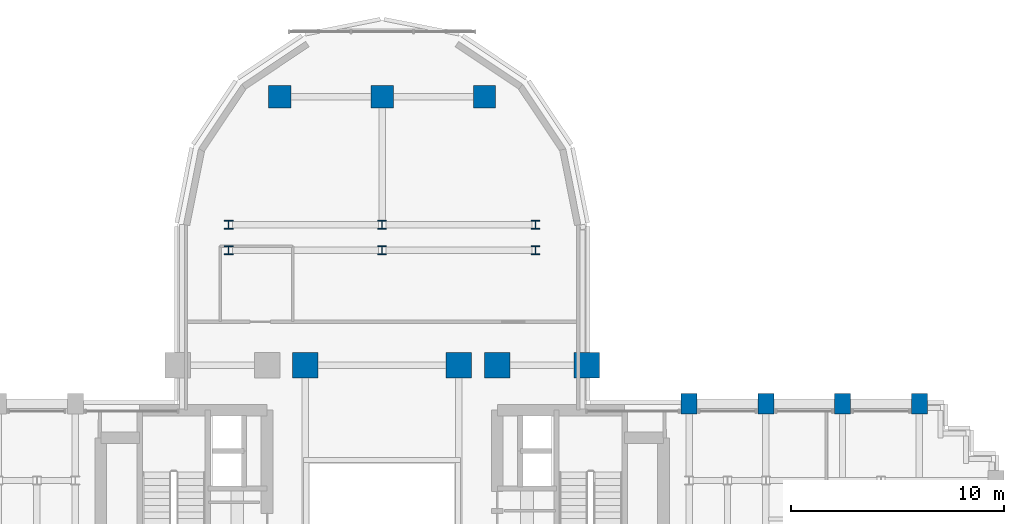
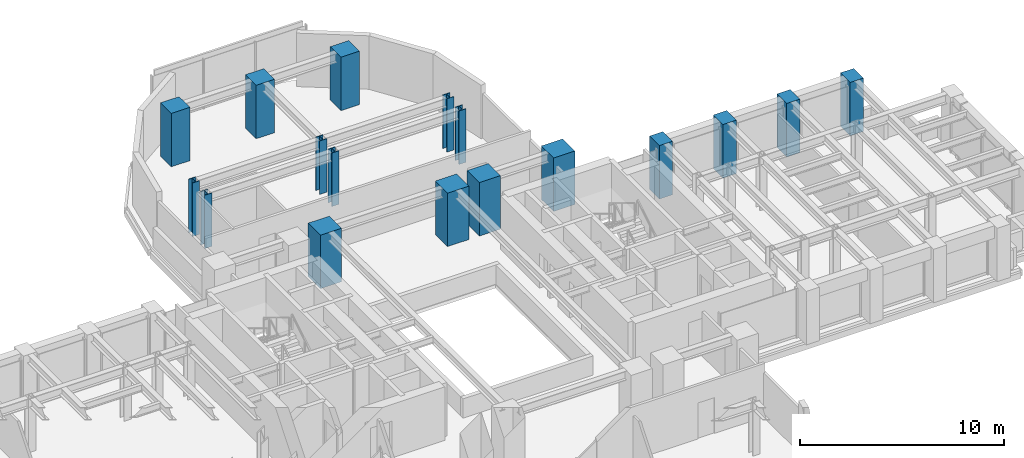
# One storey, part 2 of 16: 17 columns.
"""IFC4 building model written with IfcOpenShell, lengths in metres."""

from ifc_helpers import new_model, si_unit, direction, frame, origin, origin_2d, place, context, subcontext, project, spatial, rectangle, i_section, extrude, source, transform, mapped, material, material_profile, profile_set, type_object, element, save


model = new_model("IFC4")

# Units and contexts
model_context = context("Model", 3, precision=1e-05, world=origin(), true_north=direction((0.0, 1.0)))
body_context = subcontext(model_context, "Body", "Model", "MODEL_VIEW")
ifc_project = project(units=[si_unit("LENGTHUNIT", "METRE"), si_unit("AREAUNIT", "SQUARE_METRE"), si_unit("VOLUMEUNIT", "CUBIC_METRE"), si_unit("PLANEANGLEUNIT", "RADIAN"), si_unit("MASSUNIT", "GRAM", prefix="KILO")], contexts=[model_context])

# Site, building, storey
site_placement = place(None, origin())
site = spatial("IfcSite", under=ifc_project, at=site_placement, CompositionType="ELEMENT")
building_placement = place(site_placement, origin())
building = spatial("IfcBuilding", under=site, at=building_placement, Name="Keilestroom Media Tower", CompositionType="ELEMENT")
storey_placement = place(building_placement, frame((0.0, 0.0, 57.800048828125)))
storey = spatial("IfcBuildingStorey", under=building, at=storey_placement, Name="L14", CompositionType="ELEMENT", Elevation=57.800048828125)

# Columns
ifc_material_1 = material(Name="Precast concrete C40/50", Category="concrete")
ifc_material_profile_1 = material_profile(ifc_material_1, rectangle(XDim=0.75, YDim=0.949951171875, at=origin_2d()), Name="PC 950x750")
ifc_profile_set_1 = profile_set([ifc_material_profile_1], Name="Precast concrete C40/50")
column_type_1 = type_object("IfcColumnType", Name="Structural-Column-PC-950x750", PredefinedType="COLUMN", material=ifc_profile_set_1)
shared_shape_1 = source(origin(), body_context, "Body", "SweptSolid", [
    extrude(rectangle(XDim=0.75, YDim=0.949951171875, at=origin_2d()), origin(), (0.0, 0.0, 1.0), 3.199951171875),
])
for number, where, z_axis, x_axis, name in (
    (1, (14.39990234375, 7.199951171875, 0.0), (0.0, 0.0, 1.0), (1.0, 0.0, 0.0), "L14 Column PC-1 (+14.4,+7.2)"),
    (2, (18.0, 7.199951171875, 0.0), (0.0, 0.0, 1.0), (1.0, 0.0, 0.0), "L14 Column PC-1 (+18.0,+7.2)"),
    (3, (21.60009765625, 7.199951171875, 0.0), (0.0, 0.0, 1.0), (1.0, 0.0, 0.0), "L14 Column PC-1 (+21.6,+7.2)"),
    (4, (25.199951171875, 7.199951171875, 0.0), (0.0, 0.0, 1.0), (1.0, 0.0, 0.0), "L14 Column PC-1 (+25.2,+7.2)"),
):
    element("IfcColumn", number, at=place(storey_placement, frame(where, z_axis=z_axis, x_axis=x_axis)), inside=storey, type_object=column_type_1, Name=name, PredefinedType="COLUMN", context=body_context, shape_type="MappedRepresentation", body=[
        mapped(shared_shape_1, transform((0.0, 0.0, 0.0), x_axis=(1.0, 0.0, 0.0), y_axis=(0.0, 1.0, 0.0), z_axis=(0.0, 0.0, 1.0), scale=1.0)),
    ])
ifc_material_2 = material(Name="Steel S460", Category="steel")
ifc_material_profile_2 = material_profile(ifc_material_2, i_section(OverallWidth=0.404052734375, OverallDepth=0.406982421875, WebThickness=0.02197265625, FlangeThickness=0.035400390625, at=origin_2d()), Name="HD 400x347")
ifc_profile_set_2 = profile_set([ifc_material_profile_2], Name="Steel S460")
column_type_2 = type_object("IfcColumnType", Name="Structural-Column-HD-400x347", PredefinedType="COLUMN", material=ifc_profile_set_2)
shared_shape_2 = source(origin(), body_context, "Body", "SweptSolid", [
    extrude(i_section(OverallWidth=0.404052734375, OverallDepth=0.406982421875, WebThickness=0.02197265625, FlangeThickness=0.035400390625, at=origin_2d()), origin(), (0.0, 0.0, 1.0), 3.199951171875),
])
for number, where, z_axis, x_axis, name in (
    (5, (-7.199951171875, 14.39990234375, 0.0), (0.0, 0.0, 1.0), (1.0, 0.0, 0.0), "L14 Column SC-2 (-7.2,+14.4)"),
    (6, (-7.199951171875, 15.60009765625, 0.0), (0.0, 0.0, 1.0), (1.0, 0.0, 0.0), "L14 Column SC-2 (-7.2,+15.6)"),
    (7, (0.0, 14.39990234375, 0.0), (0.0, 0.0, 1.0), (1.0, 0.0, 0.0), "L14 Column SC-2 (+0.0,+14.4)"),
    (8, (0.0, 15.60009765625, 0.0), (0.0, 0.0, 1.0), (1.0, 0.0, 0.0), "L14 Column SC-2 (+0.0,+15.6)"),
    (9, (7.199951171875, 14.39990234375, 0.0), (0.0, 0.0, 1.0), (1.0, 0.0, 0.0), "L14 Column SC-2 (+7.2,+14.4)"),
    (10, (7.199951171875, 15.60009765625, 0.0), (0.0, 0.0, 1.0), (1.0, 0.0, 0.0), "L14 Column SC-2 (+7.2,+15.6)"),
):
    element("IfcColumn", number, at=place(storey_placement, frame(where, z_axis=z_axis, x_axis=x_axis)), inside=storey, type_object=column_type_2, Name=name, PredefinedType="COLUMN", context=body_context, shape_type="MappedRepresentation", body=[
        mapped(shared_shape_2, transform((0.0, 0.0, 0.0), x_axis=(1.0, 0.0, 0.0), y_axis=(0.0, 1.0, 0.0), z_axis=(0.0, 0.0, 1.0), scale=1.0)),
    ])
ifc_material_3 = material(Name="Concrete C70/85", Category="concrete")
ifc_material_profile_3 = material_profile(ifc_material_3, rectangle(XDim=1.199951171875, YDim=1.199951171875, at=origin_2d()), Name="RC 1200x1200")
ifc_profile_set_3 = profile_set([ifc_material_profile_3], Name="Concrete C70/85")
column_type_3 = type_object("IfcColumnType", Name="Structural-Column-RC-1200x1200", PredefinedType="COLUMN", material=ifc_profile_set_3)
shared_shape_3 = source(origin(), body_context, "Body", "SweptSolid", [
    extrude(rectangle(XDim=1.199951171875, YDim=1.199951171875, at=origin_2d()), origin(), (0.0, 0.0, 1.0), 3.199951171875),
])
for number, where, z_axis, x_axis, name in (
    (11, (-3.60009765625, 9.0, 0.0), (0.0, 0.0, 1.0), (1.0, 0.0, 0.0), "L14 Column MC-2 (-3.6,+9.0)"),
    (12, (3.60009765625, 9.0, 0.0), (0.0, 0.0, 1.0), (1.0, 0.0, 0.0), "L14 Column MC-2 (+3.6,+9.0)"),
    (13, (5.39990234375, 9.0, 0.0), (0.0, 0.0, 1.0), (1.0, 0.0, 0.0), "L14 Column MC-2 (+5.4,+9.0)"),
    (14, (9.60009765625, 9.0, 0.0), (0.0, 0.0, 1.0), (1.0, 0.0, 0.0), "L14 Column MC-2 (+9.6,+9.0)"),
):
    element("IfcColumn", number, at=place(storey_placement, frame(where, z_axis=z_axis, x_axis=x_axis)), inside=storey, type_object=column_type_3, Name=name, PredefinedType="COLUMN", context=body_context, shape_type="MappedRepresentation", body=[
        mapped(shared_shape_3, transform((0.0, 0.0, 0.0), x_axis=(1.0, 0.0, 0.0), y_axis=(0.0, 1.0, 0.0), z_axis=(0.0, 0.0, 1.0), scale=1.0)),
    ])
ifc_material_4 = material(Name="Concrete C55/67", Category="concrete")
ifc_material_profile_4 = material_profile(ifc_material_4, rectangle(XDim=1.050048828125, YDim=1.050048828125, at=origin_2d()), Name="RC 1050x1050")
ifc_profile_set_4 = profile_set([ifc_material_profile_4], Name="Concrete C55/67")
column_type_4 = type_object("IfcColumnType", Name="Structural-Column-RC-1050x1050", PredefinedType="COLUMN", material=ifc_profile_set_4)
shared_shape_4 = source(origin(), body_context, "Body", "SweptSolid", [
    extrude(rectangle(XDim=1.050048828125, YDim=1.050048828125, at=origin_2d()), origin(), (0.0, 0.0, 1.0), 3.199951171875),
])
for number, where, z_axis, x_axis, name in (
    (15, (-4.800048828125, 21.60009765625, 0.0), (0.0, 0.0, 1.0), (1.0, 0.0, 0.0), "L14 Column MC-3 (-4.8,+21.6)"),
    (16, (0.0, 21.60009765625, 0.0), (0.0, 0.0, 1.0), (1.0, 0.0, 0.0), "L14 Column MC-3 (+0.0,+21.6)"),
    (17, (4.800048828125, 21.60009765625, 0.0), (0.0, 0.0, 1.0), (1.0, 0.0, 0.0), "L14 Column MC-3 (+4.8,+21.6)"),
):
    element("IfcColumn", number, at=place(storey_placement, frame(where, z_axis=z_axis, x_axis=x_axis)), inside=storey, type_object=column_type_4, Name=name, PredefinedType="COLUMN", context=body_context, shape_type="MappedRepresentation", body=[
        mapped(shared_shape_4, transform((0.0, 0.0, 0.0), x_axis=(1.0, 0.0, 0.0), y_axis=(0.0, 1.0, 0.0), z_axis=(0.0, 0.0, 1.0), scale=1.0)),
    ])

save(model, "model.ifc")
